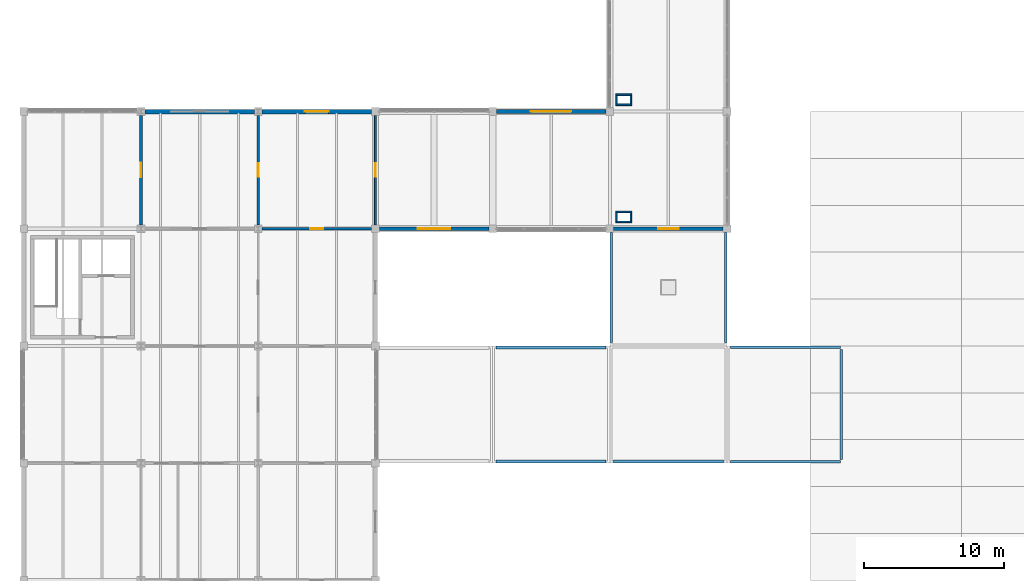
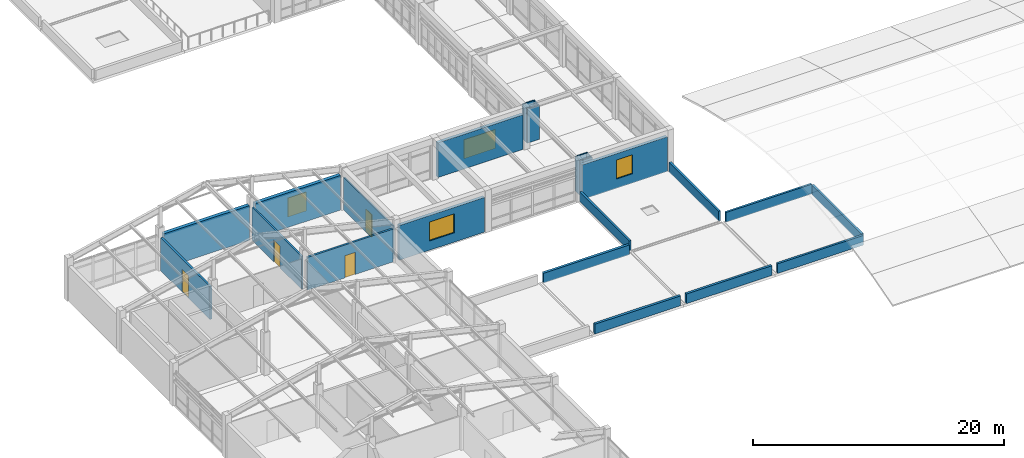
# One storey, part 32 of 40: 25 walls, 4 doors, 4 windows, 8 openings.
"""IFC4 building model written with IfcOpenShell, lengths in metres."""

from ifc_helpers import new_model, si_unit, direction, frame, frame_2d, origin, place, context, subcontext, project, spatial, rectangle, extrude, material, layer, layer_set, type_object, element, fill, save


model = new_model("IFC4")

# Units and contexts
model_context = context("Model", 3, precision=1e-05, world=origin(), true_north=direction((0.0, 1.0)))
body_context = subcontext(model_context, "Body", "Model", "MODEL_VIEW")
ifc_project = project(units=[si_unit("LENGTHUNIT", "METRE"), si_unit("AREAUNIT", "SQUARE_METRE"), si_unit("VOLUMEUNIT", "CUBIC_METRE"), si_unit("PLANEANGLEUNIT", "RADIAN"), si_unit("MASSUNIT", "GRAM", prefix="KILO")], contexts=[model_context])

# Site, building, storey
site_placement = place(None, origin())
site = spatial("IfcSite", under=ifc_project, at=site_placement, CompositionType="ELEMENT")
building_placement = place(site_placement, origin())
building = spatial("IfcBuilding", under=site, at=building_placement, Name="Porcellanite Civic Hall", CompositionType="ELEMENT")
storey_placement = place(building_placement, frame((0.0, 0.0, 19.080078125)))
storey = spatial("IfcBuildingStorey", under=building, at=storey_placement, Name="L04", CompositionType="ELEMENT", Elevation=19.080078125)

# Wall, opening, window
ifc_material_1 = material(Name="Precast concrete N40 (40 MPa)", Category="concrete")
ifc_layer_1 = layer(ifc_material_1, 0.280029296875)
ifc_layer_set_1 = layer_set([ifc_layer_1], Name="Precast concrete N40 (40 MPa)")
wall_type_1 = type_object("IfcWallType", Name="EW-CLO280", PredefinedType="SOLIDWALL", material=ifc_layer_set_1)
wall_1_placement = place(storey_placement, frame((41.72412109375, 67.199951171875, 0.0), z_axis=(0.0, 0.0, 1.0), x_axis=(-1.0, 0.0, 0.0)))
wall_1 = element("IfcWall", 1, at=wall_1_placement, inside=storey, type_object=wall_type_1, Name="Exterior wall L04 S 5-9", PredefinedType="SOLIDWALL", context=body_context, shape_type="SweptSolid", body=[
    extrude(rectangle(XDim=7.84814453125, YDim=0.280029296875, at=frame_2d((3.924072265625, 0.0))), origin(), (0.0, 0.0, 1.0), 3.369873046875),
])
opening_1_placement = place(wall_1_placement, frame((2.77392578125, 0.0, 0.89990234375)))
opening_1 = element("IfcOpeningElement", 2, at=opening_1_placement, cuts=wall_1, Name="Opening W28", PredefinedType="OPENING", context=body_context, shape_type="SweptSolid", body=[
    extrude(rectangle(XDim=2.300048828125, YDim=1.85009765625, at=frame_2d((1.14990234375, 0.925048828125))), frame((0.0, 0.14013671875, 0.0), z_axis=(0.0, -1.0, 0.0), x_axis=(1.0, 0.0, 0.0)), (0.0, 0.0, 1.0), 0.280029296875),
])
ifc_material_2 = material(Name="Cyclone laminated low-E glazing in anodised aluminium frame", Category="aluminium")
window_type_1 = type_object("IfcWindowType", Name="WN-28", PartitioningType="DOUBLE_PANEL_VERTICAL", PredefinedType="WINDOW", material=ifc_material_2)
window_1_placement = place(opening_1_placement, origin())
window_1 = element("IfcWindow", 3, at=window_1_placement, inside=storey, type_object=window_type_1, Name="Window W28 L04 S 5-9", OverallHeight=1.85009765625, OverallWidth=2.300048828125, PartitioningType="SINGLE_PANEL", PredefinedType="WINDOW", context=body_context, shape_type="SweptSolid", body=[
    extrude(rectangle(XDim=2.300048828125, YDim=1.85009765625, at=frame_2d((1.14990234375, 0.925048828125))), frame((0.0, 0.030029296875, 0.0), z_axis=(0.0, -1.0, 0.0), x_axis=(1.0, 0.0, 0.0)), (0.0, 0.0, 1.0), 0.06005859375),
])
fill(opening_1, window_1)

wall_2_placement = place(storey_placement, frame((42.27587890625, 75.60009765625, 0.0), z_axis=(0.0, 0.0, 1.0), x_axis=(1.0, 0.0, 0.0)))
wall_2 = element("IfcWall", 4, at=wall_2_placement, inside=storey, type_object=wall_type_1, Name="Exterior wall L04 N 6-9", PredefinedType="SOLIDWALL", context=body_context, shape_type="SweptSolid", body=[
    extrude(rectangle(XDim=7.84814453125, YDim=0.280029296875, at=frame_2d((3.924072265625, 0.0))), origin(), (0.0, 0.0, 1.0), 3.369873046875),
])
opening_2_placement = place(wall_2_placement, frame((2.47412109375, 0.0, 0.89990234375)))
opening_2 = element("IfcOpeningElement", 5, at=opening_2_placement, cuts=wall_2, Name="Opening W29", PredefinedType="OPENING", context=body_context, shape_type="SweptSolid", body=[
    extrude(rectangle(XDim=2.89990234375, YDim=1.85009765625, at=frame_2d((1.449951171875, 0.925048828125))), frame((0.0, 0.14013671875, 0.0), z_axis=(0.0, -1.0, 0.0), x_axis=(1.0, 0.0, 0.0)), (0.0, 0.0, 1.0), 0.280029296875),
])
ifc_material_3 = material(Name="Cyclone laminated low-E glazing in anodised aluminium frame", Category="aluminium")
window_type_2 = type_object("IfcWindowType", Name="WN-29", PartitioningType="TRIPLE_PANEL_VERTICAL", PredefinedType="WINDOW", material=ifc_material_3)
window_2_placement = place(opening_2_placement, origin())
window_2 = element("IfcWindow", 6, at=window_2_placement, inside=storey, type_object=window_type_2, Name="Window W29 L04 N 6-9", OverallHeight=1.85009765625, OverallWidth=2.89990234375, PartitioningType="SINGLE_PANEL", PredefinedType="WINDOW", context=body_context, shape_type="SweptSolid", body=[
    extrude(rectangle(XDim=2.89990234375, YDim=1.85009765625, at=frame_2d((1.449951171875, 0.925048828125))), frame((0.0, 0.030029296875, 0.0), z_axis=(0.0, -1.0, 0.0), x_axis=(1.0, 0.0, 0.0)), (0.0, 0.0, 1.0), 0.06005859375),
])
fill(opening_2, window_2)

wall_3_placement = place(storey_placement, frame((58.52392578125, 67.199951171875, 0.0), z_axis=(0.0, 0.0, 1.0), x_axis=(-1.0, 0.0, 0.0)))
wall_3 = element("IfcWall", 7, at=wall_3_placement, inside=storey, type_object=wall_type_1, Name="Exterior wall L04 S 7-9", PredefinedType="SOLIDWALL", context=body_context, shape_type="SweptSolid", body=[
    extrude(rectangle(XDim=7.847900390625, YDim=0.280029296875, at=frame_2d((3.923828125, 0.0))), origin(), (0.0, 0.0, 1.0), 3.369873046875),
])
opening_3_placement = place(wall_3_placement, frame((3.198974609375, 0.0, 0.89990234375)))
opening_3 = element("IfcOpeningElement", 8, at=opening_3_placement, cuts=wall_3, Name="Opening W30", PredefinedType="OPENING", context=body_context, shape_type="SweptSolid", body=[
    extrude(rectangle(XDim=1.449951171875, YDim=1.85009765625, at=frame_2d((0.72509765625, 0.925048828125))), frame((0.0, 0.14013671875, 0.0), z_axis=(0.0, -1.0, 0.0), x_axis=(1.0, 0.0, 0.0)), (0.0, 0.0, 1.0), 0.280029296875),
])
ifc_material_4 = material(Name="Cyclone laminated low-E glazing in anodised aluminium frame", Category="aluminium")
window_type_3 = type_object("IfcWindowType", Name="WN-30", PartitioningType="SINGLE_PANEL", PredefinedType="WINDOW", material=ifc_material_4)
window_3_placement = place(opening_3_placement, origin())
window_3 = element("IfcWindow", 9, at=window_3_placement, inside=storey, type_object=window_type_3, Name="Window W30 L04 S 7-9", OverallHeight=1.85009765625, OverallWidth=1.449951171875, PartitioningType="SINGLE_PANEL", PredefinedType="WINDOW", context=body_context, shape_type="SweptSolid", body=[
    extrude(rectangle(XDim=1.449951171875, YDim=1.85009765625, at=frame_2d((0.72509765625, 0.925048828125))), frame((0.0, 0.030029296875, 0.0), z_axis=(0.0, -1.0, 0.0), x_axis=(1.0, 0.0, 0.0)), (0.0, 0.0, 1.0), 0.06005859375),
])
fill(opening_3, window_3)

# Wall
ifc_material_5 = material(Name="Precast concrete N40 (40 MPa)", Category="concrete")
ifc_layer_2 = layer(ifc_material_5, 0.320068359375)
ifc_layer_set_2 = layer_set([ifc_layer_2], Name="Precast concrete N40 (40 MPa)")
wall_type_2 = type_object("IfcWallType", Name="EW-COM320", PredefinedType="SOLIDWALL", material=ifc_layer_set_2)
wall_4_placement = place(storey_placement, frame((17.075927734375, 75.60009765625, 0.0), z_axis=(0.0, 0.0, 1.0), x_axis=(1.0, 0.0, 0.0)))
element("IfcWall", 10, at=wall_4_placement, inside=storey, type_object=wall_type_2, Name="Exterior wall L04 N 3-9", PredefinedType="SOLIDWALL", context=body_context, shape_type="SweptSolid", body=[
    extrude(rectangle(XDim=7.84814453125, YDim=0.320068359375, at=frame_2d((3.924072265625, 0.0))), origin(), (0.0, 0.0, 1.0), 3.369873046875),
])

# Wall, opening, window
wall_5_placement = place(storey_placement, frame((25.47607421875, 75.60009765625, 0.0), z_axis=(0.0, 0.0, 1.0), x_axis=(1.0, 0.0, 0.0)))
wall_5 = element("IfcWall", 11, at=wall_5_placement, inside=storey, type_object=wall_type_2, Name="Exterior wall L04 N 4-9", PredefinedType="SOLIDWALL", context=body_context, shape_type="SweptSolid", body=[
    extrude(rectangle(XDim=7.847900390625, YDim=0.320068359375, at=frame_2d((3.923828125, 0.0))), origin(), (0.0, 0.0, 1.0), 3.369873046875),
])
opening_4_placement = place(wall_5_placement, frame((3.073974609375, 0.0, 0.89990234375)))
opening_4 = element("IfcOpeningElement", 12, at=opening_4_placement, cuts=wall_5, Name="Opening W27", PredefinedType="OPENING", context=body_context, shape_type="SweptSolid", body=[
    extrude(rectangle(XDim=1.699951171875, YDim=1.85009765625, at=frame_2d((0.85009765625, 0.925048828125))), frame((0.0, 0.16015625, 0.0), z_axis=(0.0, -1.0, 0.0), x_axis=(1.0, 0.0, 0.0)), (0.0, 0.0, 1.0), 0.320068359375),
])
ifc_material_6 = material(Name="Cyclone laminated low-E glazing in anodised aluminium frame", Category="aluminium")
window_type_4 = type_object("IfcWindowType", Name="WN-27", PartitioningType="DOUBLE_PANEL_VERTICAL", PredefinedType="WINDOW", material=ifc_material_6)
window_4_placement = place(opening_4_placement, origin())
window_4 = element("IfcWindow", 13, at=window_4_placement, inside=storey, type_object=window_type_4, Name="Window W27 L04 N 4-9", OverallHeight=1.85009765625, OverallWidth=1.699951171875, PartitioningType="SINGLE_PANEL", PredefinedType="WINDOW", context=body_context, shape_type="SweptSolid", body=[
    extrude(rectangle(XDim=1.699951171875, YDim=1.85009765625, at=frame_2d((0.85009765625, 0.925048828125))), frame((0.0, 0.030029296875, 0.0), z_axis=(0.0, -1.0, 0.0), x_axis=(1.0, 0.0, 0.0)), (0.0, 0.0, 1.0), 0.06005859375),
])
fill(opening_4, window_4)

# Walls
ifc_material_7 = material(Name="Fire-rated shaftwall plasterboard on steel studs", Category="steel")
ifc_layer_3 = layer(ifc_material_7, 0.117919921875)
ifc_layer_set_3 = layer_set([ifc_layer_3], Name="Fire-rated shaftwall plasterboard on steel studs")
wall_type_3 = type_object("IfcWallType", Name="IW-FR118", PredefinedType="PARTITIONING", material=ifc_layer_set_3)
for number, where, z_axis, x_axis, name in (
    (14, (50.83203125, 67.69091796875, 0.0), (0.0, 0.0, 1.0), (1.0, 0.0, 0.0), "Fire riser shaftwall S L04 6-8"),
    (15, (50.83203125, 68.408935546875, 0.0), (0.0, 0.0, 1.0), (1.0, 0.0, 0.0), "Fire riser shaftwall N L04 6-8"),
):
    element("IfcWall", number, at=place(storey_placement, frame(where, z_axis=z_axis, x_axis=x_axis)), inside=storey, type_object=wall_type_3, Name=name, PredefinedType="PARTITIONING", context=body_context, shape_type="SweptSolid", body=[
        extrude(rectangle(XDim=1.135986328125, YDim=0.117919921875, at=frame_2d((0.56787109375, 0.0))), origin(), (0.0, 0.0, 1.0), 3.349853515625),
    ])
for number, where, z_axis, x_axis, name in (
    (16, (50.89111328125, 67.75, 0.0), (0.0, 0.0, 1.0), (0.0, 1.0, 0.0), "Fire riser shaftwall W L04 6-8"),
    (17, (51.908935546875, 67.75, 0.0), (0.0, 0.0, 1.0), (0.0, 1.0, 0.0), "Fire riser shaftwall E L04 6-8"),
):
    element("IfcWall", number, at=place(storey_placement, frame(where, z_axis=z_axis, x_axis=x_axis)), inside=storey, type_object=wall_type_3, Name=name, PredefinedType="PARTITIONING", context=body_context, shape_type="SweptSolid", body=[
        extrude(rectangle(XDim=0.60009765625, YDim=0.117919921875, at=frame_2d((0.300048828125, 0.0))), origin(), (0.0, 0.0, 1.0), 3.349853515625),
    ])
for number, where, z_axis, x_axis, name in (
    (18, (50.83203125, 76.091064453125, 0.0), (0.0, 0.0, 1.0), (1.0, 0.0, 0.0), "Fire riser shaftwall S L04 6-9"),
    (19, (50.83203125, 76.80908203125, 0.0), (0.0, 0.0, 1.0), (1.0, 0.0, 0.0), "Fire riser shaftwall N L04 6-9"),
):
    element("IfcWall", number, at=place(storey_placement, frame(where, z_axis=z_axis, x_axis=x_axis)), inside=storey, type_object=wall_type_3, Name=name, PredefinedType="PARTITIONING", context=body_context, shape_type="SweptSolid", body=[
        extrude(rectangle(XDim=1.135986328125, YDim=0.117919921875, at=frame_2d((0.56787109375, 0.0))), origin(), (0.0, 0.0, 1.0), 3.349853515625),
    ])
for number, where, z_axis, x_axis, name in (
    (20, (50.89111328125, 76.14990234375, 0.0), (0.0, 0.0, 1.0), (0.0, 1.0, 0.0), "Fire riser shaftwall W L04 6-9"),
    (21, (51.908935546875, 76.14990234375, 0.0), (0.0, 0.0, 1.0), (0.0, 1.0, 0.0), "Fire riser shaftwall E L04 6-9"),
):
    element("IfcWall", number, at=place(storey_placement, frame(where, z_axis=z_axis, x_axis=x_axis)), inside=storey, type_object=wall_type_3, Name=name, PredefinedType="PARTITIONING", context=body_context, shape_type="SweptSolid", body=[
        extrude(rectangle(XDim=0.60009765625, YDim=0.117919921875, at=frame_2d((0.300048828125, 0.0))), origin(), (0.0, 0.0, 1.0), 3.349853515625),
    ])

# Wall, opening, door
ifc_material_8 = material(Name="Insulated acoustic plasterboard on light-gauge steel studs", Category="steel")
ifc_layer_4 = layer(ifc_material_8, 0.135009765625)
ifc_layer_set_4 = layer_set([ifc_layer_4], Name="Insulated acoustic plasterboard on light-gauge steel studs")
wall_type_4 = type_object("IfcWallType", Name="IW-PT135", PredefinedType="PARTITIONING", material=ifc_layer_set_4)
wall_6_placement = place(storey_placement, frame((33.60009765625, 67.47705078125, 0.0), z_axis=(0.0, 0.0, 1.0), x_axis=(0.0, 1.0, 0.0)))
wall_6 = element("IfcWall", 22, at=wall_6_placement, inside=storey, type_object=wall_type_4, Name="Partition L04 V 4-9", PredefinedType="PARTITIONING", context=body_context, shape_type="SweptSolid", body=[
    extrude(rectangle(XDim=7.845947265625, YDim=0.135009765625, at=frame_2d((3.9228515625, 0.0))), origin(), (0.0, 0.0, 1.0), 3.18994140625),
])
opening_5_placement = place(wall_6_placement, frame((3.443115234375, 0.0, 0.0)))
opening_5 = element("IfcOpeningElement", 23, at=opening_5_placement, cuts=wall_6, Name="Opening D-L04-474", PredefinedType="OPENING", context=body_context, shape_type="SweptSolid", body=[
    extrude(rectangle(XDim=0.9599609375, YDim=2.179931640625, at=frame_2d((0.47998046875, 1.08984375))), frame((0.0, 0.0673828125, 0.0), z_axis=(0.0, -1.0, 0.0), x_axis=(1.0, 0.0, 0.0)), (0.0, 0.0, 1.0), 0.135009765625),
])
ifc_material_9 = material(Name="Solid-core spotted-gum timber", Category="wood")
door_type_1 = type_object("IfcDoorType", Name="DR-RM096", OperationType="NOTDEFINED", PredefinedType="DOOR", material=ifc_material_9)
door_1_placement = place(opening_5_placement, origin())
door_1 = element("IfcDoor", 24, at=door_1_placement, inside=storey, type_object=door_type_1, Name="Interior door D-L04-474", OperationType="SINGLE_SWING_RIGHT", OverallHeight=2.179931640625, OverallWidth=0.9599609375, PredefinedType="DOOR", context=body_context, shape_type="SweptSolid", body=[
    extrude(rectangle(XDim=0.9599609375, YDim=2.179931640625, at=frame_2d((0.47998046875, 1.08984375))), frame((0.0, 0.02490234375, 0.0), z_axis=(0.0, -1.0, 0.0), x_axis=(1.0, 0.0, 0.0)), (0.0, 0.0, 1.0), 0.050048828125),
])
fill(opening_5, door_1)

ifc_material_10 = material(Name="Insulated acoustic plasterboard on light-gauge steel studs", Category="steel")
ifc_layer_5 = layer(ifc_material_10, 0.1650390625)
ifc_layer_set_5 = layer_set([ifc_layer_5], Name="Insulated acoustic plasterboard on light-gauge steel studs")
wall_type_5 = type_object("IfcWallType", Name="IW-PT165", PredefinedType="PARTITIONING", material=ifc_layer_set_5)
wall_7_placement = place(storey_placement, frame((25.199951171875, 67.47705078125, 0.0), z_axis=(0.0, 0.0, 1.0), x_axis=(0.0, 1.0, 0.0)))
wall_7 = element("IfcWall", 25, at=wall_7_placement, inside=storey, type_object=wall_type_5, Name="Partition L04 V 3-9", PredefinedType="PARTITIONING", context=body_context, shape_type="SweptSolid", body=[
    extrude(rectangle(XDim=7.845947265625, YDim=0.1650390625, at=frame_2d((3.9228515625, 0.0))), origin(), (0.0, 0.0, 1.0), 3.18994140625),
])
opening_6_placement = place(wall_7_placement, frame((3.43798828125, 0.0, 0.0)))
opening_6 = element("IfcOpeningElement", 26, at=opening_6_placement, cuts=wall_7, Name="Opening D-L04-492", PredefinedType="OPENING", context=body_context, shape_type="SweptSolid", body=[
    extrude(rectangle(XDim=0.969970703125, YDim=2.1201171875, at=frame_2d((0.48486328125, 1.06005859375))), frame((0.0, 0.08251953125, 0.0), z_axis=(0.0, -1.0, 0.0), x_axis=(1.0, 0.0, 0.0)), (0.0, 0.0, 1.0), 0.1650390625),
])
ifc_material_11 = material(Name="Solid-core spotted-gum timber", Category="wood")
door_type_2 = type_object("IfcDoorType", Name="DR-RM097", OperationType="NOTDEFINED", PredefinedType="DOOR", material=ifc_material_11)
door_2_placement = place(opening_6_placement, origin())
door_2 = element("IfcDoor", 27, at=door_2_placement, inside=storey, type_object=door_type_2, Name="Interior door D-L04-492", OperationType="SINGLE_SWING_RIGHT", OverallHeight=2.1201171875, OverallWidth=0.969970703125, PredefinedType="DOOR", context=body_context, shape_type="SweptSolid", body=[
    extrude(rectangle(XDim=0.969970703125, YDim=2.1201171875, at=frame_2d((0.48486328125, 1.06005859375))), frame((0.0, 0.02490234375, 0.0), z_axis=(0.0, -1.0, 0.0), x_axis=(1.0, 0.0, 0.0)), (0.0, 0.0, 1.0), 0.050048828125),
])
fill(opening_6, door_2)

ifc_material_12 = material(Name="Insulated acoustic plasterboard on light-gauge steel studs", Category="steel")
ifc_layer_6 = layer(ifc_material_12, 0.18505859375)
ifc_layer_set_6 = layer_set([ifc_layer_6], Name="Insulated acoustic plasterboard on light-gauge steel studs")
wall_type_6 = type_object("IfcWallType", Name="IW-PT185", PredefinedType="PARTITIONING", material=ifc_layer_set_6)
wall_8_placement = place(storey_placement, frame((25.47705078125, 67.199951171875, 0.0), z_axis=(0.0, 0.0, 1.0), x_axis=(1.0, 0.0, 0.0)))
wall_8 = element("IfcWall", 28, at=wall_8_placement, inside=storey, type_object=wall_type_6, Name="Partition L04 H 4-8", PredefinedType="PARTITIONING", context=body_context, shape_type="SweptSolid", body=[
    extrude(rectangle(XDim=7.845947265625, YDim=0.18505859375, at=frame_2d((3.9228515625, 0.0))), origin(), (0.0, 0.0, 1.0), 3.18994140625),
])
opening_7_placement = place(wall_8_placement, frame((3.452880859375, 0.0, 0.0)))
opening_7 = element("IfcOpeningElement", 29, at=opening_7_placement, cuts=wall_8, Name="Opening D-L04-488", PredefinedType="OPENING", context=body_context, shape_type="SweptSolid", body=[
    extrude(rectangle(XDim=0.93994140625, YDim=2.14990234375, at=frame_2d((0.469970703125, 1.074951171875))), frame((0.0, 0.092529296875, 0.0), z_axis=(0.0, -1.0, 0.0), x_axis=(1.0, 0.0, 0.0)), (0.0, 0.0, 1.0), 0.18505859375),
])
ifc_material_13 = material(Name="Solid-core spotted-gum timber", Category="wood")
door_type_3 = type_object("IfcDoorType", Name="DR-RM094", OperationType="NOTDEFINED", PredefinedType="DOOR", material=ifc_material_13)
door_3_placement = place(opening_7_placement, origin())
door_3 = element("IfcDoor", 30, at=door_3_placement, inside=storey, type_object=door_type_3, Name="Interior door D-L04-488", OperationType="SINGLE_SWING_RIGHT", OverallHeight=2.14990234375, OverallWidth=0.93994140625, PredefinedType="DOOR", context=body_context, shape_type="SweptSolid", body=[
    extrude(rectangle(XDim=0.93994140625, YDim=2.14990234375, at=frame_2d((0.469970703125, 1.074951171875))), frame((0.0, 0.02490234375, 0.0), z_axis=(0.0, -1.0, 0.0), x_axis=(1.0, 0.0, 0.0)), (0.0, 0.0, 1.0), 0.050048828125),
])
fill(opening_7, door_3)

ifc_material_14 = material(Name="Insulated acoustic plasterboard on light-gauge steel studs", Category="steel")
ifc_layer_7 = layer(ifc_material_14, 0.195068359375)
ifc_layer_set_7 = layer_set([ifc_layer_7], Name="Insulated acoustic plasterboard on light-gauge steel studs")
wall_type_7 = type_object("IfcWallType", Name="IW-PT195", PredefinedType="PARTITIONING", material=ifc_layer_set_7)
wall_9_placement = place(storey_placement, frame((16.800048828125, 67.47705078125, 0.0), z_axis=(0.0, 0.0, 1.0), x_axis=(0.0, 1.0, 0.0)))
wall_9 = element("IfcWall", 31, at=wall_9_placement, inside=storey, type_object=wall_type_7, Name="Partition L04 V 2-9", PredefinedType="PARTITIONING", context=body_context, shape_type="SweptSolid", body=[
    extrude(rectangle(XDim=7.845947265625, YDim=0.195068359375, at=frame_2d((3.9228515625, 0.0))), origin(), (0.0, 0.0, 1.0), 3.18994140625),
])
opening_8_placement = place(wall_9_placement, frame((3.403076171875, 0.0, 0.0)))
opening_8 = element("IfcOpeningElement", 32, at=opening_8_placement, cuts=wall_9, Name="Opening D-L04-483", PredefinedType="OPENING", context=body_context, shape_type="SweptSolid", body=[
    extrude(rectangle(XDim=1.0400390625, YDim=2.199951171875, at=frame_2d((0.52001953125, 1.10009765625))), frame((0.0, 0.09765625, 0.0), z_axis=(0.0, -1.0, 0.0), x_axis=(1.0, 0.0, 0.0)), (0.0, 0.0, 1.0), 0.195068359375),
])
ifc_material_15 = material(Name="Solid-core spotted-gum timber", Category="wood")
door_type_4 = type_object("IfcDoorType", Name="DR-RM104", OperationType="NOTDEFINED", PredefinedType="DOOR", material=ifc_material_15)
door_4_placement = place(opening_8_placement, origin())
door_4 = element("IfcDoor", 33, at=door_4_placement, inside=storey, type_object=door_type_4, Name="Interior door D-L04-483", OperationType="SINGLE_SWING_LEFT", OverallHeight=2.199951171875, OverallWidth=1.0400390625, PredefinedType="DOOR", context=body_context, shape_type="SweptSolid", body=[
    extrude(rectangle(XDim=1.0400390625, YDim=2.199951171875, at=frame_2d((0.52001953125, 1.10009765625))), frame((0.0, 0.02490234375, 0.0), z_axis=(0.0, -1.0, 0.0), x_axis=(1.0, 0.0, 0.0)), (0.0, 0.0, 1.0), 0.050048828125),
])
fill(opening_8, door_4)

# Walls
ifc_material_16 = material(Name="Precast concrete N40 (40 MPa)", Category="concrete")
ifc_layer_8 = layer(ifc_material_16, 0.22998046875)
ifc_layer_set_8 = layer_set([ifc_layer_8], Name="Precast concrete N40 (40 MPa)")
wall_type_8 = type_object("IfcWallType", Name="WP-PAR2", PredefinedType="PARAPET", material=ifc_layer_set_8)
for number, where, z_axis, x_axis, name in (
    (34, (50.139892578125, 50.514892578125, 0.0), (0.0, 0.0, 1.0), (-1.0, 0.0, 0.0), "Roof parapet L04 S 6-7"),
    (35, (42.260009765625, 58.68505859375, 0.0), (0.0, 0.0, 1.0), (1.0, 0.0, 0.0), "Roof parapet L04 N 6-7"),
):
    element("IfcWall", number, at=place(storey_placement, frame(where, z_axis=z_axis, x_axis=x_axis)), inside=storey, type_object=wall_type_8, Name=name, PredefinedType="PARAPET", context=body_context, shape_type="SweptSolid", body=[
        extrude(rectangle(XDim=7.8798828125, YDim=0.22998046875, at=frame_2d((3.93994140625, 0.0))), origin(), (0.0, 0.0, 1.0), 0.949951171875),
    ])
ifc_material_17 = material(Name="Precast concrete N40 (40 MPa)", Category="concrete")
ifc_layer_9 = layer(ifc_material_17, 0.2099609375)
ifc_layer_set_9 = layer_set([ifc_layer_9], Name="Precast concrete N40 (40 MPa)")
wall_type_9 = type_object("IfcWallType", Name="WP-PAR3", PredefinedType="PARAPET", material=ifc_layer_set_9)
wall_10_placement = place(storey_placement, frame((58.5400390625, 50.5048828125, 0.0), z_axis=(0.0, 0.0, 1.0), x_axis=(-1.0, 0.0, 0.0)))
element("IfcWall", 36, at=wall_10_placement, inside=storey, type_object=wall_type_9, Name="Roof parapet L04 S 7-7", PredefinedType="PARAPET", context=body_context, shape_type="SweptSolid", body=[
    extrude(rectangle(XDim=7.880126953125, YDim=0.2099609375, at=frame_2d((3.93994140625, 0.0))), origin(), (0.0, 0.0, 1.0), 0.949951171875),
])
ifc_material_18 = material(Name="Precast concrete N40 (40 MPa)", Category="concrete")
ifc_layer_10 = layer(ifc_material_18, 0.18994140625)
ifc_layer_set_10 = layer_set([ifc_layer_10], Name="Precast concrete N40 (40 MPa)")
wall_type_10 = type_object("IfcWallType", Name="WP-PAR4", PredefinedType="PARAPET", material=ifc_layer_set_10)
for number, where, z_axis, x_axis, name in (
    (37, (50.4951171875, 59.06005859375, 0.0), (0.0, 0.0, 1.0), (0.0, 1.0, 0.0), "Roof parapet L04 W 7-8"),
    (38, (58.705078125, 66.93994140625, 0.0), (0.0, 0.0, 1.0), (0.0, -1.0, 0.0), "Roof parapet L04 E 7-8"),
    (39, (66.93994140625, 50.4951171875, 0.0), (0.0, 0.0, 1.0), (-1.0, 0.0, 0.0), "Roof parapet L04 S 8-7"),
    (40, (59.06005859375, 58.705078125, 0.0), (0.0, 0.0, 1.0), (1.0, 0.0, 0.0), "Roof parapet L04 N 8-7"),
):
    element("IfcWall", number, at=place(storey_placement, frame(where, z_axis=z_axis, x_axis=x_axis)), inside=storey, type_object=wall_type_10, Name=name, PredefinedType="PARAPET", context=body_context, shape_type="SweptSolid", body=[
        extrude(rectangle(XDim=7.8798828125, YDim=0.18994140625, at=frame_2d((3.93994140625, 0.0))), origin(), (0.0, 0.0, 1.0), 0.949951171875),
    ])
wall_11_placement = place(storey_placement, frame((66.985107421875, 58.5400390625, 0.0), z_axis=(0.0, 0.0, 1.0), x_axis=(0.0, -1.0, 0.0)))
element("IfcWall", 41, at=wall_11_placement, inside=storey, type_object=wall_type_10, Name="Roof parapet L04 E 8-7", PredefinedType="PARAPET", context=body_context, shape_type="SweptSolid", body=[
    extrude(rectangle(XDim=7.880126953125, YDim=0.18994140625, at=frame_2d((3.93994140625, 0.0))), origin(), (0.0, 0.0, 1.0), 0.949951171875),
])

save(model, "model.ifc")
